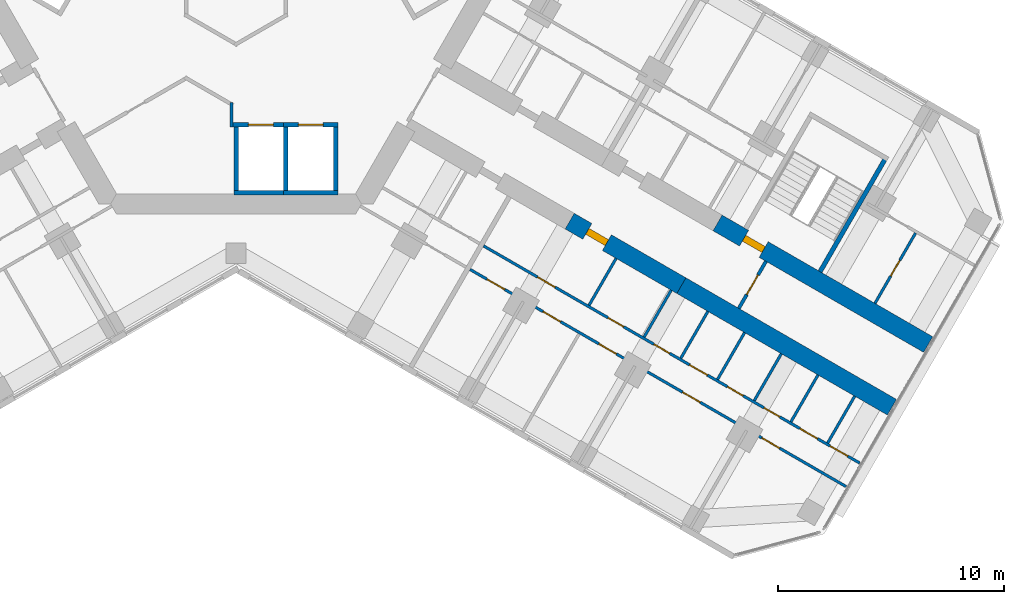
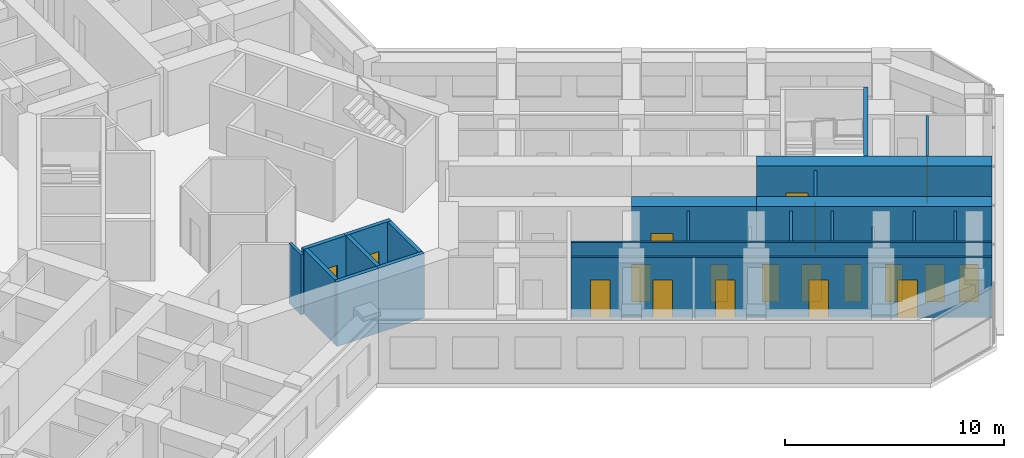
# One storey, part 14 of 19: 23 walls, 19 doors, 19 openings.
"""IFC4 building model written with IfcOpenShell, lengths in metres."""

from ifc_helpers import new_model, si_unit, direction, frame, frame_2d, origin, place, context, subcontext, project, spatial, rectangle, extrude, material, layer, layer_set, type_object, element, fill, save


model = new_model("IFC4")

# Units and contexts
model_context = context("Model", 3, precision=1e-05, world=origin(), true_north=direction((0.0, 1.0)))
body_context = subcontext(model_context, "Body", "Model", "MODEL_VIEW")
ifc_project = project(units=[si_unit("LENGTHUNIT", "METRE"), si_unit("AREAUNIT", "SQUARE_METRE"), si_unit("VOLUMEUNIT", "CUBIC_METRE"), si_unit("PLANEANGLEUNIT", "RADIAN"), si_unit("MASSUNIT", "GRAM", prefix="KILO")], contexts=[model_context])

# Site, building, storey
site_placement = place(None, origin())
site = spatial("IfcSite", under=ifc_project, at=site_placement, CompositionType="ELEMENT")
building_placement = place(site_placement, origin())
building = spatial("IfcBuilding", under=site, at=building_placement, Name="Kosmar Iwan School Tower", CompositionType="ELEMENT")
storey_placement = place(building_placement, frame((0.0, 0.0, 161.60009765625)))
storey = spatial("IfcBuildingStorey", under=building, at=storey_placement, Name="L40", CompositionType="ELEMENT", Elevation=161.60009765625)

# Wall
ifc_material_1 = material(Name="Gypsum board on steel studs, fire-rated", Category="steel")
ifc_layer_1 = layer(ifc_material_1, 0.14990234375)
ifc_layer_set_1 = layer_set([ifc_layer_1], Name="Core room partition 150")
wall_type_1 = type_object("IfcWallType", Name="Core room partition 150", PredefinedType="PARTITIONING", material=ifc_layer_set_1)
wall_1_placement = place(storey_placement, frame((-0.199951171875, -5.12109375, 0.0), z_axis=(0.0, 0.0, 1.0), x_axis=(0.0, -1.0, 0.0)))
element("IfcWall", 1, at=wall_1_placement, inside=storey, type_object=wall_type_1, Name="Core room partition L40-CW7", PredefinedType="PARTITIONING", context=body_context, shape_type="SweptSolid", body=[
    extrude(rectangle(XDim=1.078857421875, YDim=0.14990234375, at=frame_2d((0.53955078125, 0.0))), origin(), (0.0, 0.0, 1.0), 3.349853515625),
])

# Wall, opening, door
ifc_material_2 = material(Name="Concrete C50/60", Category="concrete")
ifc_layer_2 = layer(ifc_material_2, 0.800048828125)
ifc_layer_set_2 = layer_set([ifc_layer_2], Name="Corridor buttress wall 800")
wall_type_2 = type_object("IfcWallType", Name="Corridor buttress wall 800", PredefinedType="SHEAR", material=ifc_layer_set_2)
wall_2_placement = place(storey_placement, frame((21.281494140625, -10.439453125, 0.0), z_axis=(0.0, 0.0, 1.0), x_axis=(0.866032345022, -0.499987977232, 0.0)))
wall_2 = element("IfcWall", 2, at=wall_2_placement, inside=storey, type_object=wall_type_2, Name="Corridor wall CL bay 3", PredefinedType="SHEAR", context=body_context, shape_type="SweptSolid", body=[
    extrude(rectangle(XDim=10.744873046875, YDim=0.800048828125, at=frame_2d((5.37255859375, 0.0))), origin(), (0.0, 0.0, 1.0), 3.599853515625),
])
opening_1_placement = place(wall_2_placement, frame((1.35009765625, 0.0, 0.0)))
opening_1 = element("IfcOpeningElement", 3, at=opening_1_placement, cuts=wall_2, Name="Opening D6", PredefinedType="OPENING", context=body_context, shape_type="SweptSolid", body=[
    extrude(rectangle(XDim=1.0, YDim=2.10009765625, at=frame_2d((0.5, 1.050048828125))), frame((0.0, 0.412109375, 0.0), z_axis=(0.0, -1.0, 0.0), x_axis=(1.0, 0.0, 0.0)), (0.0, 0.0, 1.0), 0.823974609375),
])
ifc_material_3 = material(Name="Steel fire door", Category="steel")
door_type_1 = type_object("IfcDoorType", Name="Stair door 1000x2100", OperationType="SINGLE_SWING_LEFT", PredefinedType="DOOR", material=ifc_material_3)
door_1_placement = place(opening_1_placement, origin())
door_1 = element("IfcDoor", 4, at=door_1_placement, inside=storey, type_object=door_type_1, Name="Stair WS3 door L40", OperationType="SINGLE_SWING_LEFT", OverallHeight=2.10009765625, OverallWidth=1.0, PredefinedType="DOOR", context=body_context, shape_type="SweptSolid", body=[
    extrude(rectangle(XDim=1.0, YDim=2.10009765625, at=frame_2d((0.5, 1.050048828125))), frame((0.0, 0.14990234375, 0.0), z_axis=(0.0, -1.0, 0.0), x_axis=(1.0, 0.0, 0.0)), (0.0, 0.0, 1.0), 0.300048828125),
])
fill(opening_1, door_1)

wall_3_placement = place(storey_placement, frame((14.7451171875, -10.360595703125, 0.0), z_axis=(0.0, 0.0, 1.0), x_axis=(0.866015111908, -0.50001782563, 0.0)))
wall_3 = element("IfcWall", 5, at=wall_3_placement, inside=storey, type_object=wall_type_2, Name="Corridor wall CR bay 2", PredefinedType="SHEAR", context=body_context, shape_type="SweptSolid", body=[
    extrude(rectangle(XDim=5.699951171875, YDim=0.800048828125, at=frame_2d((2.85009765625, 0.0))), origin(), (0.0, 0.0, 1.0), 3.599853515625),
])
opening_2_placement = place(wall_3_placement, frame((0.89990234375, 0.0, 0.0)))
opening_2 = element("IfcOpeningElement", 6, at=opening_2_placement, cuts=wall_3, Name="Opening D1", PredefinedType="OPENING", context=body_context, shape_type="SweptSolid", body=[
    extrude(rectangle(XDim=1.0, YDim=2.10009765625, at=frame_2d((0.5, 1.050048828125))), frame((0.0, 0.412109375, 0.0), z_axis=(0.0, -1.0, 0.0), x_axis=(1.0, 0.0, 0.0)), (0.0, 0.0, 1.0), 0.823974609375),
])
ifc_material_4 = material(Name="Timber fire door in steel frame", Category="steel")
door_type_2 = type_object("IfcDoorType", Name="Flat entrance door 1000x2100", OperationType="SINGLE_SWING_LEFT", PredefinedType="DOOR", material=ifc_material_4)
door_2_placement = place(opening_2_placement, origin())
door_2 = element("IfcDoor", 7, at=door_2_placement, inside=storey, type_object=door_type_2, Name="Flat L40-CR2 entrance door", OperationType="SINGLE_SWING_LEFT", OverallHeight=2.10009765625, OverallWidth=1.0, PredefinedType="DOOR", context=body_context, shape_type="SweptSolid", body=[
    extrude(rectangle(XDim=1.0, YDim=2.10009765625, at=frame_2d((0.5, 1.050048828125))), frame((0.0, 0.14990234375, 0.0), z_axis=(0.0, -1.0, 0.0), x_axis=(1.0, 0.0, 0.0)), (0.0, 0.0, 1.0), 0.300048828125),
])
fill(opening_2, door_2)

# Wall
wall_4_placement = place(storey_placement, frame((19.681396484375, -13.210693359375, 0.0), z_axis=(0.0, 0.0, 1.0), x_axis=(0.866028186671, -0.499995179869, 0.0)))
element("IfcWall", 8, at=wall_4_placement, inside=storey, type_object=wall_type_2, Name="Corridor wall CR bay 3", PredefinedType="SHEAR", context=body_context, shape_type="SweptSolid", body=[
    extrude(rectangle(XDim=10.7451171875, YDim=0.800048828125, at=frame_2d((5.37255859375, 0.0))), origin(), (0.0, 0.0, 1.0), 3.599853515625),
])

# Wall, opening, door
ifc_material_5 = material(Name="Gypsum board on steel studs, fire-rated", Category="steel")
ifc_layer_3 = layer(ifc_material_5, 0.14990234375)
ifc_layer_set_3 = layer_set([ifc_layer_3], Name="Corridor end wall 150")
wall_type_3 = type_object("IfcWallType", Name="Corridor end wall 150", PredefinedType="PARTITIONING", material=ifc_layer_set_3)
wall_5_placement = place(storey_placement, frame((22.2197265625, -14.21435546875, 0.0), z_axis=(0.0, 0.0, 1.0), x_axis=(0.499957262057, 0.866050077142, 0.0)))
wall_5 = element("IfcWall", 9, at=wall_5_placement, inside=storey, type_object=wall_type_3, Name="Partition L40-C-CE", PredefinedType="PARTITIONING", context=body_context, shape_type="SweptSolid", body=[
    extrude(rectangle(XDim=2.400146484375, YDim=0.14990234375, at=frame_2d((1.2001953125, 0.0))), origin(), (0.0, 0.0, 1.0), 3.349853515625),
])
opening_3_placement = place(wall_5_placement, frame((0.699951171875, 0.0, 0.0)))
opening_3 = element("IfcOpeningElement", 10, at=opening_3_placement, cuts=wall_5, Name="Opening D13", PredefinedType="OPENING", context=body_context, shape_type="SweptSolid", body=[
    extrude(rectangle(XDim=1.0, YDim=2.10009765625, at=frame_2d((0.5, 1.050048828125))), frame((0.0, 0.0869140625, 0.0), z_axis=(0.0, -1.0, 0.0), x_axis=(1.0, 0.0, 0.0)), (0.0, 0.0, 1.0), 0.173828125),
])
ifc_material_6 = material(Name="Timber fire door with vision panel", Category="wood")
door_type_3 = type_object("IfcDoorType", Name="Corridor end door 1000x2100", OperationType="SINGLE_SWING_LEFT", PredefinedType="DOOR", material=ifc_material_6)
door_3_placement = place(opening_3_placement, origin())
door_3 = element("IfcDoor", 11, at=door_3_placement, inside=storey, type_object=door_type_3, Name="Family study room door L40-C", OperationType="SINGLE_SWING_LEFT", OverallHeight=2.10009765625, OverallWidth=1.0, PredefinedType="DOOR", context=body_context, shape_type="SweptSolid", body=[
    extrude(rectangle(XDim=1.0, YDim=2.10009765625, at=frame_2d((0.5, 1.050048828125))), frame((0.0, 0.02490234375, 0.0), z_axis=(0.0, -1.0, 0.0), x_axis=(1.0, 0.0, 0.0)), (0.0, 0.0, 1.0), 0.050048828125),
])
fill(opening_3, door_3)

ifc_material_7 = material(Name="Gypsum board on steel studs", Category="steel")
ifc_layer_4 = layer(ifc_material_7, 0.1201171875)
ifc_layer_set_4 = layer_set([ifc_layer_4], Name="Dwelling partition 120")
wall_type_4 = type_object("IfcWallType", Name="Dwelling partition 120", PredefinedType="PARTITIONING", material=ifc_layer_set_4)
wall_6_placement = place(storey_placement, frame((28.236572265625, -13.992919921875, 0.0), z_axis=(0.0, 0.0, 1.0), x_axis=(0.499971658126, 0.866041766355, 0.0)))
wall_6 = element("IfcWall", 12, at=wall_6_placement, inside=storey, type_object=wall_type_4, Name="Partition L40-CL2-TY", PredefinedType="PARTITIONING", context=body_context, shape_type="SweptSolid", body=[
    extrude(rectangle(XDim=3.590087890625, YDim=0.1201171875, at=frame_2d((1.794921875, 0.0))), origin(), (0.0, 0.0, 1.0), 3.349853515625),
])
opening_4_placement = place(wall_6_placement, frame((1.39501953125, 0.0, 0.0)))
opening_4 = element("IfcOpeningElement", 13, at=opening_4_placement, cuts=wall_6, Name="Opening D3", PredefinedType="OPENING", context=body_context, shape_type="SweptSolid", body=[
    extrude(rectangle(XDim=0.800048828125, YDim=2.10009765625, at=frame_2d((0.39990234375, 1.050048828125))), frame((0.0, 0.072021484375, 0.0), z_axis=(0.0, -1.0, 0.0), x_axis=(1.0, 0.0, 0.0)), (0.0, 0.0, 1.0), 0.14404296875),
])
ifc_material_8 = material(Name="Timber door in timber frame", Category="wood")
door_type_4 = type_object("IfcDoorType", Name="Sanitary room door 800x2100", OperationType="SINGLE_SWING_LEFT", PredefinedType="DOOR", material=ifc_material_8)
door_4_placement = place(opening_4_placement, origin())
door_4 = element("IfcDoor", 14, at=door_4_placement, inside=storey, type_object=door_type_4, Name="Shower room door L40-CL2-T4", OperationType="SINGLE_SWING_LEFT", OverallHeight=2.10009765625, OverallWidth=0.800048828125, PredefinedType="DOOR", context=body_context, shape_type="SweptSolid", body=[
    extrude(rectangle(XDim=0.800048828125, YDim=2.10009765625, at=frame_2d((0.39990234375, 1.050048828125))), frame((0.0, 0.02490234375, 0.0), z_axis=(0.0, -1.0, 0.0), x_axis=(1.0, 0.0, 0.0)), (0.0, 0.0, 1.0), 0.050048828125),
])
fill(opening_4, door_4)

# Wall, openings, doors
wall_7_placement = place(storey_placement, frame((10.9384765625, -11.453857421875, 0.0), z_axis=(0.0, 0.0, 1.0), x_axis=(0.866029698618, -0.499992561057, 0.0)))
wall_7 = element("IfcWall", 15, at=wall_7_placement, inside=storey, type_object=wall_type_4, Name="Partition L40-CR2-W1", PredefinedType="PARTITIONING", context=body_context, shape_type="SweptSolid", body=[
    extrude(rectangle(XDim=19.195068359375, YDim=0.1201171875, at=frame_2d((9.59765625, 0.0))), origin(), (0.0, 0.0, 1.0), 3.349853515625),
])
opening_5_placement = place(wall_7_placement, frame((2.75, 0.0, 0.0)))
opening_5 = element("IfcOpeningElement", 16, at=opening_5_placement, cuts=wall_7, Name="Opening D2", PredefinedType="OPENING", context=body_context, shape_type="SweptSolid", body=[
    extrude(rectangle(XDim=0.89990234375, YDim=2.10009765625, at=frame_2d((0.449951171875, 1.050048828125))), frame((0.0, 0.072021484375, 0.0), z_axis=(0.0, -1.0, 0.0), x_axis=(1.0, 0.0, 0.0)), (0.0, 0.0, 1.0), 0.14404296875),
])
opening_6_placement = place(wall_7_placement, frame((6.35498046875, 0.0, 0.0)))
opening_6 = element("IfcOpeningElement", 17, at=opening_6_placement, cuts=wall_7, Name="Opening D3", PredefinedType="OPENING", context=body_context, shape_type="SweptSolid", body=[
    extrude(rectangle(XDim=0.800048828125, YDim=2.10009765625, at=frame_2d((0.39990234375, 1.050048828125))), frame((0.0, 0.072021484375, 0.0), z_axis=(0.0, -1.0, 0.0), x_axis=(1.0, 0.0, 0.0)), (0.0, 0.0, 1.0), 0.14404296875),
])
opening_7_placement = place(wall_7_placement, frame((8.69677734375, 0.0, 0.0)))
opening_7 = element("IfcOpeningElement", 18, at=opening_7_placement, cuts=wall_7, Name="Opening D3", PredefinedType="OPENING", context=body_context, shape_type="SweptSolid", body=[
    extrude(rectangle(XDim=0.800048828125, YDim=2.10009765625, at=frame_2d((0.39990234375, 1.050048828125))), frame((0.0, 0.072021484375, 0.0), z_axis=(0.0, -1.0, 0.0), x_axis=(1.0, 0.0, 0.0)), (0.0, 0.0, 1.0), 0.14404296875),
])
opening_8_placement = place(wall_7_placement, frame((10.52001953125, 0.0, 0.0)))
opening_8 = element("IfcOpeningElement", 19, at=opening_8_placement, cuts=wall_7, Name="Opening D2", PredefinedType="OPENING", context=body_context, shape_type="SweptSolid", body=[
    extrude(rectangle(XDim=0.89990234375, YDim=2.10009765625, at=frame_2d((0.449951171875, 1.050048828125))), frame((0.0, 0.072021484375, 0.0), z_axis=(0.0, -1.0, 0.0), x_axis=(1.0, 0.0, 0.0)), (0.0, 0.0, 1.0), 0.14404296875),
])
opening_9_placement = place(wall_7_placement, frame((12.443359375, 0.0, 0.0)))
opening_9 = element("IfcOpeningElement", 20, at=opening_9_placement, cuts=wall_7, Name="Opening D3", PredefinedType="OPENING", context=body_context, shape_type="SweptSolid", body=[
    extrude(rectangle(XDim=0.800048828125, YDim=2.10009765625, at=frame_2d((0.39990234375, 1.050048828125))), frame((0.0, 0.072021484375, 0.0), z_axis=(0.0, -1.0, 0.0), x_axis=(1.0, 0.0, 0.0)), (0.0, 0.0, 1.0), 0.14404296875),
])
opening_10_placement = place(wall_7_placement, frame((14.316650390625, 0.0, 0.0)))
opening_10 = element("IfcOpeningElement", 21, at=opening_10_placement, cuts=wall_7, Name="Opening D3", PredefinedType="OPENING", context=body_context, shape_type="SweptSolid", body=[
    extrude(rectangle(XDim=0.800048828125, YDim=2.10009765625, at=frame_2d((0.39990234375, 1.050048828125))), frame((0.0, 0.072021484375, 0.0), z_axis=(0.0, -1.0, 0.0), x_axis=(1.0, 0.0, 0.0)), (0.0, 0.0, 1.0), 0.14404296875),
])
opening_11_placement = place(wall_7_placement, frame((16.139892578125, 0.0, 0.0)))
opening_11 = element("IfcOpeningElement", 22, at=opening_11_placement, cuts=wall_7, Name="Opening D2", PredefinedType="OPENING", context=body_context, shape_type="SweptSolid", body=[
    extrude(rectangle(XDim=0.89990234375, YDim=2.10009765625, at=frame_2d((0.449951171875, 1.050048828125))), frame((0.0, 0.072021484375, 0.0), z_axis=(0.0, -1.0, 0.0), x_axis=(1.0, 0.0, 0.0)), (0.0, 0.0, 1.0), 0.14404296875),
])
opening_12_placement = place(wall_7_placement, frame((17.686767578125, 0.0, 0.0)))
opening_12 = element("IfcOpeningElement", 23, at=opening_12_placement, cuts=wall_7, Name="Opening D2", PredefinedType="OPENING", context=body_context, shape_type="SweptSolid", body=[
    extrude(rectangle(XDim=0.89990234375, YDim=2.10009765625, at=frame_2d((0.449951171875, 1.050048828125))), frame((0.0, 0.072021484375, 0.0), z_axis=(0.0, -1.0, 0.0), x_axis=(1.0, 0.0, 0.0)), (0.0, 0.0, 1.0), 0.14404296875),
])
ifc_material_9 = material(Name="Timber door in timber frame", Category="wood")
door_type_5 = type_object("IfcDoorType", Name="Internal door 900x2100", OperationType="SINGLE_SWING_LEFT", PredefinedType="DOOR", material=ifc_material_9)
door_5_placement = place(opening_5_placement, origin())
door_5 = element("IfcDoor", 24, at=door_5_placement, inside=storey, type_object=door_type_5, Name="Entrance hall door L40-CR2-S1", OperationType="SINGLE_SWING_RIGHT", OverallHeight=2.10009765625, OverallWidth=0.89990234375, PredefinedType="DOOR", context=body_context, shape_type="SweptSolid", body=[
    extrude(rectangle(XDim=0.89990234375, YDim=2.10009765625, at=frame_2d((0.449951171875, 1.050048828125))), frame((0.0, 0.02490234375, 0.0), z_axis=(0.0, -1.0, 0.0), x_axis=(1.0, 0.0, 0.0)), (0.0, 0.0, 1.0), 0.050048828125),
])
fill(opening_5, door_5)
door_6_placement = place(opening_8_placement, origin())
door_6 = element("IfcDoor", 25, at=door_6_placement, inside=storey, type_object=door_type_5, Name="Pantry door L40-CR2-S4", OperationType="SINGLE_SWING_LEFT", OverallHeight=2.10009765625, OverallWidth=0.89990234375, PredefinedType="DOOR", context=body_context, shape_type="SweptSolid", body=[
    extrude(rectangle(XDim=0.89990234375, YDim=2.10009765625, at=frame_2d((0.449951171875, 1.050048828125))), frame((0.0, 0.02490234375, 0.0), z_axis=(0.0, -1.0, 0.0), x_axis=(1.0, 0.0, 0.0)), (0.0, 0.0, 1.0), 0.050048828125),
])
fill(opening_8, door_6)
door_7_placement = place(opening_11_placement, origin())
door_7 = element("IfcDoor", 26, at=door_7_placement, inside=storey, type_object=door_type_5, Name="Utility room door L40-CR2-S7", OperationType="SINGLE_SWING_RIGHT", OverallHeight=2.10009765625, OverallWidth=0.89990234375, PredefinedType="DOOR", context=body_context, shape_type="SweptSolid", body=[
    extrude(rectangle(XDim=0.89990234375, YDim=2.10009765625, at=frame_2d((0.449951171875, 1.050048828125))), frame((0.0, 0.02490234375, 0.0), z_axis=(0.0, -1.0, 0.0), x_axis=(1.0, 0.0, 0.0)), (0.0, 0.0, 1.0), 0.050048828125),
])
fill(opening_11, door_7)
door_8_placement = place(opening_12_placement, origin())
door_8 = element("IfcDoor", 27, at=door_8_placement, inside=storey, type_object=door_type_5, Name="Dressing room door L40-CR2-S8", OperationType="SINGLE_SWING_LEFT", OverallHeight=2.10009765625, OverallWidth=0.89990234375, PredefinedType="DOOR", context=body_context, shape_type="SweptSolid", body=[
    extrude(rectangle(XDim=0.89990234375, YDim=2.10009765625, at=frame_2d((0.449951171875, 1.050048828125))), frame((0.0, 0.02490234375, 0.0), z_axis=(0.0, -1.0, 0.0), x_axis=(1.0, 0.0, 0.0)), (0.0, 0.0, 1.0), 0.050048828125),
])
fill(opening_12, door_8)
door_9_placement = place(opening_6_placement, origin())
door_9 = element("IfcDoor", 28, at=door_9_placement, inside=storey, type_object=door_type_4, Name="Bathroom door L40-CR2-S2", OperationType="SINGLE_SWING_LEFT", OverallHeight=2.10009765625, OverallWidth=0.800048828125, PredefinedType="DOOR", context=body_context, shape_type="SweptSolid", body=[
    extrude(rectangle(XDim=0.800048828125, YDim=2.10009765625, at=frame_2d((0.39990234375, 1.050048828125))), frame((0.0, 0.02490234375, 0.0), z_axis=(0.0, -1.0, 0.0), x_axis=(1.0, 0.0, 0.0)), (0.0, 0.0, 1.0), 0.050048828125),
])
fill(opening_6, door_9)
door_10_placement = place(opening_7_placement, origin())
door_10 = element("IfcDoor", 29, at=door_10_placement, inside=storey, type_object=door_type_4, Name="Shower room door L40-CR2-S3", OperationType="SINGLE_SWING_RIGHT", OverallHeight=2.10009765625, OverallWidth=0.800048828125, PredefinedType="DOOR", context=body_context, shape_type="SweptSolid", body=[
    extrude(rectangle(XDim=0.800048828125, YDim=2.10009765625, at=frame_2d((0.39990234375, 1.050048828125))), frame((0.0, 0.02490234375, 0.0), z_axis=(0.0, -1.0, 0.0), x_axis=(1.0, 0.0, 0.0)), (0.0, 0.0, 1.0), 0.050048828125),
])
fill(opening_7, door_10)
door_11_placement = place(opening_9_placement, origin())
door_11 = element("IfcDoor", 30, at=door_11_placement, inside=storey, type_object=door_type_4, Name="WC door L40-CR2-S5", OperationType="SINGLE_SWING_RIGHT", OverallHeight=2.10009765625, OverallWidth=0.800048828125, PredefinedType="DOOR", context=body_context, shape_type="SweptSolid", body=[
    extrude(rectangle(XDim=0.800048828125, YDim=2.10009765625, at=frame_2d((0.39990234375, 1.050048828125))), frame((0.0, 0.02490234375, 0.0), z_axis=(0.0, -1.0, 0.0), x_axis=(1.0, 0.0, 0.0)), (0.0, 0.0, 1.0), 0.050048828125),
])
fill(opening_9, door_11)
door_12_placement = place(opening_10_placement, origin())
door_12 = element("IfcDoor", 31, at=door_12_placement, inside=storey, type_object=door_type_4, Name="Store door L40-CR2-S6", OperationType="SINGLE_SWING_LEFT", OverallHeight=2.10009765625, OverallWidth=0.800048828125, PredefinedType="DOOR", context=body_context, shape_type="SweptSolid", body=[
    extrude(rectangle(XDim=0.800048828125, YDim=2.10009765625, at=frame_2d((0.39990234375, 1.050048828125))), frame((0.0, 0.02490234375, 0.0), z_axis=(0.0, -1.0, 0.0), x_axis=(1.0, 0.0, 0.0)), (0.0, 0.0, 1.0), 0.050048828125),
])
fill(opening_10, door_12)

wall_8_placement = place(storey_placement, frame((10.338623046875, -12.492919921875, 0.0), z_axis=(0.0, 0.0, 1.0), x_axis=(0.866021011428, -0.500007607708, 0.0)))
wall_8 = element("IfcWall", 32, at=wall_8_placement, inside=storey, type_object=wall_type_4, Name="Partition L40-CR2-W2", PredefinedType="PARTITIONING", context=body_context, shape_type="SweptSolid", body=[
    extrude(rectangle(XDim=19.195068359375, YDim=0.1201171875, at=frame_2d((9.59765625, 0.0))), origin(), (0.0, 0.0, 1.0), 3.349853515625),
])
opening_13_placement = place(wall_8_placement, frame((0.875, 0.0, 0.0)))
opening_13 = element("IfcOpeningElement", 33, at=opening_13_placement, cuts=wall_8, Name="Opening D2", PredefinedType="OPENING", context=body_context, shape_type="SweptSolid", body=[
    extrude(rectangle(XDim=0.89990234375, YDim=2.10009765625, at=frame_2d((0.449951171875, 1.050048828125))), frame((0.0, 0.072021484375, 0.0), z_axis=(0.0, -1.0, 0.0), x_axis=(1.0, 0.0, 0.0)), (0.0, 0.0, 1.0), 0.14404296875),
])
opening_14_placement = place(wall_8_placement, frame((3.72509765625, 0.0, 0.0)))
opening_14 = element("IfcOpeningElement", 34, at=opening_14_placement, cuts=wall_8, Name="Opening D2", PredefinedType="OPENING", context=body_context, shape_type="SweptSolid", body=[
    extrude(rectangle(XDim=0.89990234375, YDim=2.10009765625, at=frame_2d((0.449951171875, 1.050048828125))), frame((0.0, 0.072021484375, 0.0), z_axis=(0.0, -1.0, 0.0), x_axis=(1.0, 0.0, 0.0)), (0.0, 0.0, 1.0), 0.14404296875),
])
opening_15_placement = place(wall_8_placement, frame((6.574951171875, 0.0, 0.0)))
opening_15 = element("IfcOpeningElement", 35, at=opening_15_placement, cuts=wall_8, Name="Opening D2", PredefinedType="OPENING", context=body_context, shape_type="SweptSolid", body=[
    extrude(rectangle(XDim=0.89990234375, YDim=2.10009765625, at=frame_2d((0.449951171875, 1.050048828125))), frame((0.0, 0.072021484375, 0.0), z_axis=(0.0, -1.0, 0.0), x_axis=(1.0, 0.0, 0.0)), (0.0, 0.0, 1.0), 0.14404296875),
])
opening_16_placement = place(wall_8_placement, frame((10.85009765625, 0.0, 0.0)))
opening_16 = element("IfcOpeningElement", 36, at=opening_16_placement, cuts=wall_8, Name="Opening D2", PredefinedType="OPENING", context=body_context, shape_type="SweptSolid", body=[
    extrude(rectangle(XDim=0.89990234375, YDim=2.10009765625, at=frame_2d((0.449951171875, 1.050048828125))), frame((0.0, 0.072021484375, 0.0), z_axis=(0.0, -1.0, 0.0), x_axis=(1.0, 0.0, 0.0)), (0.0, 0.0, 1.0), 0.14404296875),
])
opening_17_placement = place(wall_8_placement, frame((14.89990234375, 0.0, 0.0)))
opening_17 = element("IfcOpeningElement", 37, at=opening_17_placement, cuts=wall_8, Name="Opening D2", PredefinedType="OPENING", context=body_context, shape_type="SweptSolid", body=[
    extrude(rectangle(XDim=0.89990234375, YDim=2.10009765625, at=frame_2d((0.449951171875, 1.050048828125))), frame((0.0, 0.072021484375, 0.0), z_axis=(0.0, -1.0, 0.0), x_axis=(1.0, 0.0, 0.0)), (0.0, 0.0, 1.0), 0.14404296875),
])
door_13_placement = place(opening_13_placement, origin())
door_13 = element("IfcDoor", 38, at=door_13_placement, inside=storey, type_object=door_type_5, Name="Bedroom 1 door L40-CR2-F1", OperationType="SINGLE_SWING_LEFT", OverallHeight=2.10009765625, OverallWidth=0.89990234375, PredefinedType="DOOR", context=body_context, shape_type="SweptSolid", body=[
    extrude(rectangle(XDim=0.89990234375, YDim=2.10009765625, at=frame_2d((0.449951171875, 1.050048828125))), frame((0.0, 0.02490234375, 0.0), z_axis=(0.0, -1.0, 0.0), x_axis=(1.0, 0.0, 0.0)), (0.0, 0.0, 1.0), 0.050048828125),
])
fill(opening_13, door_13)
door_14_placement = place(opening_14_placement, origin())
door_14 = element("IfcDoor", 39, at=door_14_placement, inside=storey, type_object=door_type_5, Name="Bedroom 2 door L40-CR2-F2", OperationType="SINGLE_SWING_LEFT", OverallHeight=2.10009765625, OverallWidth=0.89990234375, PredefinedType="DOOR", context=body_context, shape_type="SweptSolid", body=[
    extrude(rectangle(XDim=0.89990234375, YDim=2.10009765625, at=frame_2d((0.449951171875, 1.050048828125))), frame((0.0, 0.02490234375, 0.0), z_axis=(0.0, -1.0, 0.0), x_axis=(1.0, 0.0, 0.0)), (0.0, 0.0, 1.0), 0.050048828125),
])
fill(opening_14, door_14)
door_15_placement = place(opening_15_placement, origin())
door_15 = element("IfcDoor", 40, at=door_15_placement, inside=storey, type_object=door_type_5, Name="Bedroom 3 door L40-CR2-F3", OperationType="SINGLE_SWING_LEFT", OverallHeight=2.10009765625, OverallWidth=0.89990234375, PredefinedType="DOOR", context=body_context, shape_type="SweptSolid", body=[
    extrude(rectangle(XDim=0.89990234375, YDim=2.10009765625, at=frame_2d((0.449951171875, 1.050048828125))), frame((0.0, 0.02490234375, 0.0), z_axis=(0.0, -1.0, 0.0), x_axis=(1.0, 0.0, 0.0)), (0.0, 0.0, 1.0), 0.050048828125),
])
fill(opening_15, door_15)
door_16_placement = place(opening_16_placement, origin())
door_16 = element("IfcDoor", 41, at=door_16_placement, inside=storey, type_object=door_type_5, Name="Living room door L40-CR2-F4", OperationType="SINGLE_SWING_RIGHT", OverallHeight=2.10009765625, OverallWidth=0.89990234375, PredefinedType="DOOR", context=body_context, shape_type="SweptSolid", body=[
    extrude(rectangle(XDim=0.89990234375, YDim=2.10009765625, at=frame_2d((0.449951171875, 1.050048828125))), frame((0.0, 0.02490234375, 0.0), z_axis=(0.0, -1.0, 0.0), x_axis=(1.0, 0.0, 0.0)), (0.0, 0.0, 1.0), 0.050048828125),
])
fill(opening_16, door_16)
door_17_placement = place(opening_17_placement, origin())
door_17 = element("IfcDoor", 42, at=door_17_placement, inside=storey, type_object=door_type_5, Name="Kitchen and dining room door L40-CR2-F5", OperationType="SINGLE_SWING_RIGHT", OverallHeight=2.10009765625, OverallWidth=0.89990234375, PredefinedType="DOOR", context=body_context, shape_type="SweptSolid", body=[
    extrude(rectangle(XDim=0.89990234375, YDim=2.10009765625, at=frame_2d((0.449951171875, 1.050048828125))), frame((0.0, 0.02490234375, 0.0), z_axis=(0.0, -1.0, 0.0), x_axis=(1.0, 0.0, 0.0)), (0.0, 0.0, 1.0), 0.050048828125),
])
fill(opening_17, door_17)

# Walls
wall_9_placement = place(storey_placement, frame((16.796875, -12.007080078125, 0.0), z_axis=(0.0, 0.0, 1.0), x_axis=(-0.500017192868, -0.86601547725, 0.0)))
element("IfcWall", 43, at=wall_9_placement, inside=storey, type_object=wall_type_4, Name="Partition L40-CR2-Y1", PredefinedType="PARTITIONING", context=body_context, shape_type="SweptSolid", body=[
    extrude(rectangle(XDim=2.39013671875, YDim=0.1201171875, at=frame_2d((1.195068359375, 0.0))), origin(), (0.0, 0.0, 1.0), 3.349853515625),
])
wall_10_placement = place(storey_placement, frame((19.23046875, -13.412109375, 0.0), z_axis=(0.0, 0.0, 1.0), x_axis=(-0.500017192868, -0.86601547725, 0.0)))
element("IfcWall", 44, at=wall_10_placement, inside=storey, type_object=wall_type_4, Name="Partition L40-CR2-Y2", PredefinedType="PARTITIONING", context=body_context, shape_type="SweptSolid", body=[
    extrude(rectangle(XDim=2.39013671875, YDim=0.1201171875, at=frame_2d((1.195068359375, 0.0))), origin(), (0.0, 0.0, 1.0), 2.449951171875),
])
for number, where, z_axis, x_axis, name in (
    (45, (20.852783203125, -14.3486328125, 0.0), (0.0, 0.0, 1.0), (-0.500017192868, -0.86601547725, 0.0), "Partition L40-CR2-Y3"),
    (46, (22.47509765625, -15.285400390625, 0.0), (0.0, 0.0, 1.0), (-0.500017192868, -0.86601547725, 0.0), "Partition L40-CR2-Y4"),
):
    element("IfcWall", number, at=place(storey_placement, frame(where, z_axis=z_axis, x_axis=x_axis)), inside=storey, type_object=wall_type_4, Name=name, PredefinedType="PARTITIONING", context=body_context, shape_type="SweptSolid", body=[
        extrude(rectangle(XDim=2.39013671875, YDim=0.1201171875, at=frame_2d((1.195068359375, 0.0))), origin(), (0.0, 0.0, 1.0), 3.349853515625),
    ])
wall_11_placement = place(storey_placement, frame((24.097412109375, -16.221923828125, 0.0), z_axis=(0.0, 0.0, 1.0), x_axis=(-0.500017192868, -0.86601547725, 0.0)))
element("IfcWall", 47, at=wall_11_placement, inside=storey, type_object=wall_type_4, Name="Partition L40-CR2-Y5", PredefinedType="PARTITIONING", context=body_context, shape_type="SweptSolid", body=[
    extrude(rectangle(XDim=2.39013671875, YDim=0.1201171875, at=frame_2d((1.195068359375, 0.0))), origin(), (0.0, 0.0, 1.0), 2.449951171875),
])
wall_12_placement = place(storey_placement, frame((25.7197265625, -17.15869140625, 0.0), z_axis=(0.0, 0.0, 1.0), x_axis=(-0.500017192868, -0.86601547725, 0.0)))
element("IfcWall", 48, at=wall_12_placement, inside=storey, type_object=wall_type_4, Name="Partition L40-CR2-Y6", PredefinedType="PARTITIONING", context=body_context, shape_type="SweptSolid", body=[
    extrude(rectangle(XDim=2.39013671875, YDim=0.1201171875, at=frame_2d((1.195068359375, 0.0))), origin(), (0.0, 0.0, 1.0), 3.349853515625),
])
wall_13_placement = place(storey_placement, frame((27.342041015625, -18.095458984375, 0.0), z_axis=(0.0, 0.0, 1.0), x_axis=(-0.499940577336, -0.866059708757, 0.0)))
element("IfcWall", 49, at=wall_13_placement, inside=storey, type_object=wall_type_4, Name="Partition L40-CR2-Y7", PredefinedType="PARTITIONING", context=body_context, shape_type="SweptSolid", body=[
    extrude(rectangle(XDim=2.389892578125, YDim=0.1201171875, at=frame_2d((1.19482421875, 0.0))), origin(), (0.0, 0.0, 1.0), 3.349853515625),
])
ifc_material_10 = material(Name="Concrete C35/45", Category="concrete")
ifc_layer_5 = layer(ifc_material_10, 0.199951171875)
ifc_layer_set_5 = layer_set([ifc_layer_5], Name="Escape stair wall 200")
wall_type_5 = type_object("IfcWallType", Name="Escape stair wall 200", PredefinedType="SHEAR", material=ifc_layer_set_5)
wall_14_placement = place(storey_placement, frame((25.8115234375, -12.593017578125, 0.0), z_axis=(0.0, 0.0, 1.0), x_axis=(0.500019744199, 0.866014004166, 0.0)))
element("IfcWall", 50, at=wall_14_placement, inside=storey, type_object=wall_type_5, Name="Stair WS3 wall", PredefinedType="SHEAR", context=body_context, shape_type="SweptSolid", body=[
    extrude(rectangle(XDim=5.900146484375, YDim=0.199951171875, at=frame_2d((2.9501953125, 0.0))), origin(), (0.0, 0.0, 1.0), 3.329833984375),
])

# Wall, opening, door
ifc_material_11 = material(Name="Concrete C50/60", Category="concrete")
ifc_layer_6 = layer(ifc_material_11, 0.199951171875)
ifc_layer_set_6 = layer_set([ifc_layer_6], Name="Lift shaft wall 200")
wall_type_6 = type_object("IfcWallType", Name="Lift shaft wall 200", PredefinedType="SHEAR", material=ifc_layer_set_6)
wall_15_placement = place(storey_placement, frame((-0.125, -6.10009765625, 0.0), z_axis=(0.0, 0.0, 1.0), x_axis=(1.0, 0.0, 0.0)))
wall_15 = element("IfcWall", 51, at=wall_15_placement, inside=storey, type_object=wall_type_6, Name="Lift and stair front wall BC", PredefinedType="SHEAR", context=body_context, shape_type="SweptSolid", body=[
    extrude(rectangle(XDim=2.22509765625, YDim=0.199951171875, at=frame_2d((1.112548828125, 0.0))), origin(), (0.0, 0.0, 1.0), 3.599853515625),
])
opening_18_placement = place(wall_15_placement, frame((0.675048828125, 0.0, 0.0)))
opening_18 = element("IfcOpeningElement", 52, at=opening_18_placement, cuts=wall_15, Name="Opening LD1", PredefinedType="OPENING", context=body_context, shape_type="SweptSolid", body=[
    extrude(rectangle(XDim=1.10009765625, YDim=2.10009765625, at=frame_2d((0.550048828125, 1.050048828125))), frame((0.0, 0.112060546875, 0.0), z_axis=(0.0, -1.0, 0.0), x_axis=(1.0, 0.0, 0.0)), (0.0, 0.0, 1.0), 0.223876953125),
])
ifc_material_12 = material(Name="Stainless steel sliding lift door", Category="steel")
door_type_6 = type_object("IfcDoorType", Name="Lift landing door 1100x2100", OperationType="SLIDING_TO_LEFT", PredefinedType="DOOR", material=ifc_material_12)
door_18_placement = place(opening_18_placement, origin())
door_18 = element("IfcDoor", 53, at=door_18_placement, inside=storey, type_object=door_type_6, Name="Lift PL3 landing door L40", OperationType="SLIDING_TO_LEFT", OverallHeight=2.10009765625, OverallWidth=1.10009765625, PredefinedType="DOOR", context=body_context, shape_type="SweptSolid", body=[
    extrude(rectangle(XDim=1.10009765625, YDim=2.10009765625, at=frame_2d((0.550048828125, 1.050048828125))), frame((0.0, 0.02490234375, 0.0), z_axis=(0.0, -1.0, 0.0), x_axis=(1.0, 0.0, 0.0)), (0.0, 0.0, 1.0), 0.050048828125),
])
fill(opening_18, door_18)

# Wall
wall_16_placement = place(storey_placement, frame((-0.10009765625, -9.10009765625, 0.0), z_axis=(0.0, 0.0, 1.0), x_axis=(1.0, 0.0, 0.0)))
element("IfcWall", 54, at=wall_16_placement, inside=storey, type_object=wall_type_6, Name="Lift and stair back wall BC", PredefinedType="SHEAR", context=body_context, shape_type="SweptSolid", body=[
    extrude(rectangle(XDim=2.2001953125, YDim=0.199951171875, at=frame_2d((1.10009765625, 0.0))), origin(), (0.0, 0.0, 1.0), 3.599853515625),
])

# Wall, opening, door
wall_17_placement = place(storey_placement, frame((2.10009765625, -6.10009765625, 0.0), z_axis=(0.0, 0.0, 1.0), x_axis=(1.0, 0.0, 0.0)))
wall_17 = element("IfcWall", 55, at=wall_17_placement, inside=storey, type_object=wall_type_6, Name="Lift and stair front wall BC", PredefinedType="SHEAR", context=body_context, shape_type="SweptSolid", body=[
    extrude(rectangle(XDim=2.39990234375, YDim=0.199951171875, at=frame_2d((1.199951171875, 0.0))), origin(), (0.0, 0.0, 1.0), 3.599853515625),
])
opening_19_placement = place(wall_17_placement, frame((0.64990234375, 0.0, 0.0)))
opening_19 = element("IfcOpeningElement", 56, at=opening_19_placement, cuts=wall_17, Name="Opening LD1", PredefinedType="OPENING", context=body_context, shape_type="SweptSolid", body=[
    extrude(rectangle(XDim=1.10009765625, YDim=2.10009765625, at=frame_2d((0.550048828125, 1.050048828125))), frame((0.0, 0.112060546875, 0.0), z_axis=(0.0, -1.0, 0.0), x_axis=(1.0, 0.0, 0.0)), (0.0, 0.0, 1.0), 0.223876953125),
])
door_19_placement = place(opening_19_placement, origin())
door_19 = element("IfcDoor", 57, at=door_19_placement, inside=storey, type_object=door_type_6, Name="Lift PL4 landing door L40", OperationType="SLIDING_TO_LEFT", OverallHeight=2.10009765625, OverallWidth=1.10009765625, PredefinedType="DOOR", context=body_context, shape_type="SweptSolid", body=[
    extrude(rectangle(XDim=1.10009765625, YDim=2.10009765625, at=frame_2d((0.550048828125, 1.050048828125))), frame((0.0, 0.02490234375, 0.0), z_axis=(0.0, -1.0, 0.0), x_axis=(1.0, 0.0, 0.0)), (0.0, 0.0, 1.0), 0.050048828125),
])
fill(opening_19, door_19)

# Walls
wall_18_placement = place(storey_placement, frame((2.10009765625, -9.10009765625, 0.0), z_axis=(0.0, 0.0, 1.0), x_axis=(1.0, 0.0, 0.0)))
element("IfcWall", 58, at=wall_18_placement, inside=storey, type_object=wall_type_6, Name="Lift and stair back wall BC", PredefinedType="SHEAR", context=body_context, shape_type="SweptSolid", body=[
    extrude(rectangle(XDim=2.39990234375, YDim=0.199951171875, at=frame_2d((1.199951171875, 0.0))), origin(), (0.0, 0.0, 1.0), 3.599853515625),
])
for number, where, z_axis, x_axis, name in (
    (59, (0.0, -6.199951171875, 0.0), (0.0, 0.0, 1.0), (0.0, -1.0, 0.0), "Lift shaft wall BC 0"),
    (60, (2.199951171875, -6.199951171875, 0.0), (0.0, 0.0, 1.0), (0.0, -1.0, 0.0), "Lift shaft wall BC 1"),
    (61, (4.39990234375, -6.199951171875, 0.0), (0.0, 0.0, 1.0), (0.0, -1.0, 0.0), "Lift shaft wall BC 2"),
):
    element("IfcWall", number, at=place(storey_placement, frame(where, z_axis=z_axis, x_axis=x_axis)), inside=storey, type_object=wall_type_6, Name=name, PredefinedType="SHEAR", context=body_context, shape_type="SweptSolid", body=[
        extrude(rectangle(XDim=2.800048828125, YDim=0.199951171875, at=frame_2d((1.39990234375, 0.0))), origin(), (0.0, 0.0, 1.0), 3.599853515625),
    ])

save(model, "model.ifc")
